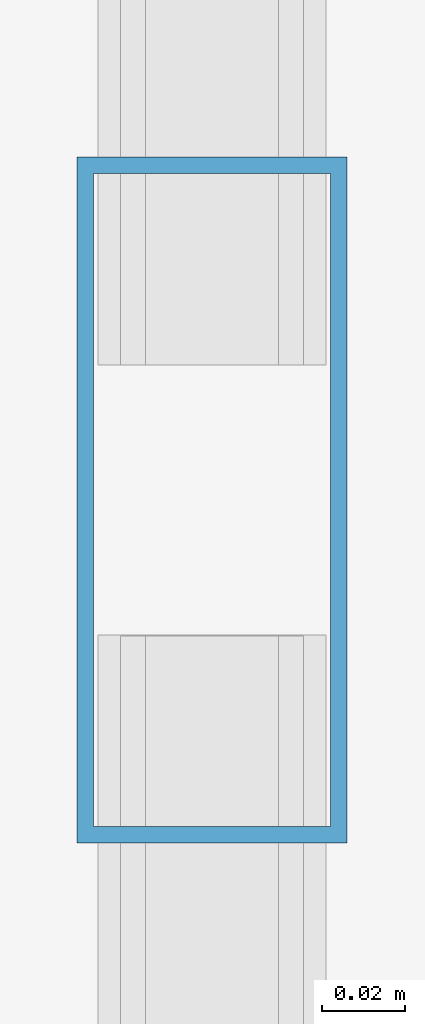
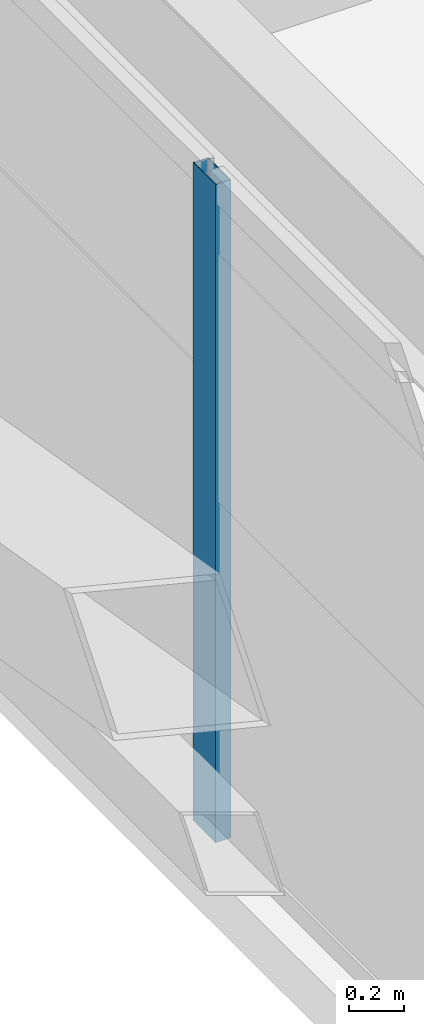
# One storey, part 16 of 59: 1 member, 1 element without a shape of its own.
"""IFC4 building model written with IfcOpenShell, lengths in metres."""

from ifc_helpers import new_model, si_unit, direction, frame, origin, origin_2d, place, context, subcontext, project, spatial, hollow_rectangle, extrude, source, transform, mapped, material, layer, layer_set, material_profile, profile_set, type_object, element, aggregate, save


model = new_model("IFC4")

# Units and contexts
model_context = context("Model", 3, precision=1e-05, world=origin(), true_north=direction((0.0, 1.0)))
body_context = subcontext(model_context, "Body", "Model", "MODEL_VIEW")
ifc_project = project(units=[si_unit("LENGTHUNIT", "METRE"), si_unit("AREAUNIT", "SQUARE_METRE"), si_unit("VOLUMEUNIT", "CUBIC_METRE"), si_unit("PLANEANGLEUNIT", "RADIAN"), si_unit("MASSUNIT", "GRAM", prefix="KILO")], contexts=[model_context])

# Site, building, storey
site_placement = place(None, origin())
site = spatial("IfcSite", under=ifc_project, at=site_placement, CompositionType="ELEMENT")
building_placement = place(site_placement, origin())
building = spatial("IfcBuilding", under=site, at=building_placement, Name="Taldren Reach Tower", CompositionType="ELEMENT")
storey_placement = place(building_placement, frame((0.0, 0.0, 29.39990234375)))
storey = spatial("IfcBuildingStorey", under=building, at=storey_placement, Name="L08", CompositionType="ELEMENT", Elevation=29.39990234375)

# Curtain wall, member
ifc_material_1 = material(Name="Aluminium and Low-E Glass Unitised System", Category="aluminium")
ifc_layer = layer(ifc_material_1, 0.159912109375)
ifc_layer_set = layer_set([ifc_layer], Name="Aluminium and Low-E Glass Unitised System")
curtain_wall_type = type_object("IfcCurtainWallType", Name="CW-SYS-2", PredefinedType="NOTDEFINED", material=ifc_layer_set)
curtain_wall_placement = place(storey_placement, origin())
curtain_wall = element("IfcCurtainWall", 1, at=curtain_wall_placement, inside=storey, type_object=curtain_wall_type, Name="Unitised curtain wall CW-L08-W", PredefinedType="NOTDEFINED")
ifc_material_2 = material(Name="Anodised Aluminium 6063-T6", Category="aluminium")
ifc_material_profile = material_profile(ifc_material_2, hollow_rectangle(XDim=0.06494140625, YDim=0.1650390625, WallThickness=0.00390625, at=origin_2d()), Name="ALU-165x65x4RHS")
ifc_profile_set = profile_set([ifc_material_profile], Name="Anodised Aluminium 6063-T6")
member_type = type_object("IfcMemberType", Name="CW-MUL-165", PredefinedType="MULLION", material=ifc_profile_set)
shared_shape = source(origin(), body_context, "Body", "SweptSolid", [
    extrude(hollow_rectangle(XDim=0.06494140625, YDim=0.1650390625, WallThickness=0.00390625, at=origin_2d()), origin(), (0.0, 0.0, 1.0), 2.93017578125),
])
member_placement = place(storey_placement, frame((5.139892578125, 25.166748046875, 0.0), z_axis=(0.0, 0.0, 1.0), x_axis=(1.0, 0.0, 0.0)))
member = element("IfcMember", 2, at=member_placement, type_object=member_type, Name="CW-2 mullion 4", PredefinedType="MULLION", context=body_context, shape_type="MappedRepresentation", body=[
    mapped(shared_shape, transform((0.0, 0.0, 0.0), scale=1.0)),
])
aggregate(curtain_wall, [member])

save(model, "model.ifc")
